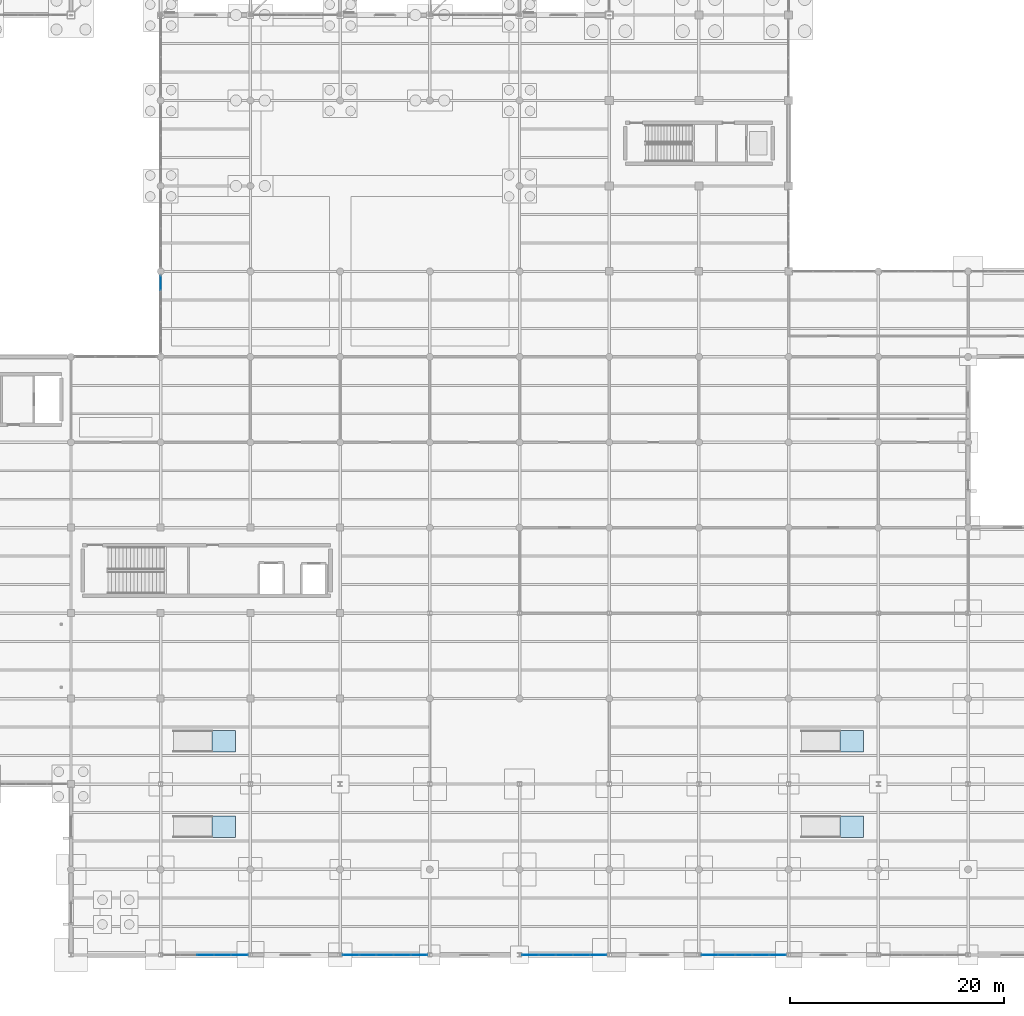
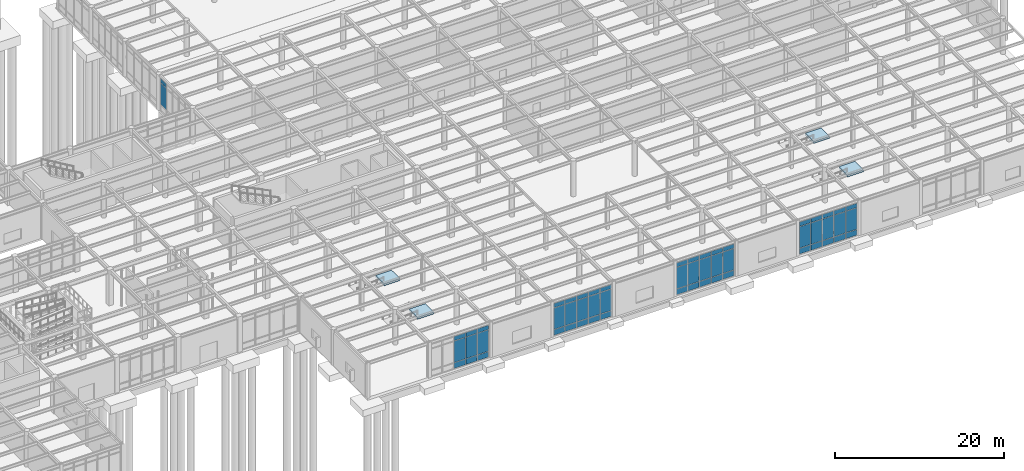
# One storey, part 66 of 138: 56 plates, 4 slabs, 9 elements without a shape of their own.
"""IFC4 building model written with IfcOpenShell, lengths in metres."""

from ifc_helpers import new_model, si_unit, direction, frame, origin, origin_2d, place, context, subcontext, project, spatial, polyline, rectangle, outline, extrude, material, layer, layer_set, type_object, element, aggregate, save


model = new_model("IFC4")

# Units and contexts
model_context = context("Model", 3, precision=1e-05, world=origin(), true_north=direction((0.0, 1.0)))
body_context = subcontext(model_context, "Body", "Model", "MODEL_VIEW")
ifc_project = project(units=[si_unit("LENGTHUNIT", "METRE"), si_unit("AREAUNIT", "SQUARE_METRE"), si_unit("VOLUMEUNIT", "CUBIC_METRE"), si_unit("PLANEANGLEUNIT", "RADIAN"), si_unit("MASSUNIT", "GRAM", prefix="KILO")], contexts=[model_context])

# Site, building, storey
site_placement = place(None, origin())
site = spatial("IfcSite", under=ifc_project, at=site_placement, CompositionType="ELEMENT")
building_placement = place(site_placement, origin())
building = spatial("IfcBuilding", under=site, at=building_placement, Name="Kranzveld Transit Interchange", CompositionType="ELEMENT")
storey_placement = place(building_placement, origin())
storey = spatial("IfcBuildingStorey", under=building, at=storey_placement, Name="L00", CompositionType="ELEMENT", Elevation=0.0)

# Curtain wall, plates
ifc_material_1 = material(Name="Bronze-anodised thermally broken aluminium", Category="aluminium")
ifc_layer_1 = layer(ifc_material_1, 0.1650390625)
ifc_layer_set_1 = layer_set([ifc_layer_1], Name="Bronze-anodised thermally broken aluminium")
curtain_wall_type_1 = type_object("IfcCurtainWallType", Name="Sunny Court Arcade Curtain Wall CW-2", PredefinedType="USERDEFINED", material=ifc_layer_set_1)
curtain_wall_1_placement = place(storey_placement, origin())
curtain_wall_1 = element("IfcCurtainWall", 1, at=curtain_wall_1_placement, inside=storey, type_object=curtain_wall_type_1, Name="L00 Curtain Wall 08/H-08/J", ObjectType="CURTAIN WALL", PredefinedType="USERDEFINED")
ifc_material_2 = material(Name="Solar-control double glazing", Category="glass")
ifc_layer_2 = layer(ifc_material_2, 0.02392578125)
ifc_layer_set_2 = layer_set([ifc_layer_2], Name="Solar-control double glazing")
plate_type_1 = type_object("IfcPlateType", Name="Curtain Panel Clear Glazing 24", PredefinedType="CURTAIN_PANEL", material=ifc_layer_set_2)
plate_1_placement = place(storey_placement, frame((58.800048828125, 62.923828125, 0.929931640625), z_axis=(0.0, 0.0, 1.0), x_axis=(0.0, 1.0, 0.0)))
plate_1 = element("IfcPlate", 2, at=plate_1_placement, type_object=plate_type_1, Name="CW-2 panel 5.2", PredefinedType="CURTAIN_PANEL", context=body_context, shape_type="SweptSolid", body=[
    extrude(rectangle(XDim=1.37255859375, YDim=0.02392578125, at=origin_2d()), origin(), (0.0, 0.0, 1.0), 3.08740234375),
])
plate_2_placement = place(storey_placement, frame((58.800048828125, 62.923828125, 4.0771484375), z_axis=(0.0, 0.0, 1.0), x_axis=(0.0, 1.0, 0.0)))
plate_2 = element("IfcPlate", 3, at=plate_2_placement, type_object=plate_type_1, Name="CW-2 panel 5.3", PredefinedType="CURTAIN_PANEL", context=body_context, shape_type="SweptSolid", body=[
    extrude(rectangle(XDim=1.37255859375, YDim=0.02392578125, at=origin_2d()), origin(), (0.0, 0.0, 1.0), 0.610107421875),
])
aggregate(curtain_wall_1, [plate_1, plate_2])

ifc_material_3 = material(Name="Bronze-anodised thermally broken aluminium", Category="aluminium")
ifc_layer_3 = layer(ifc_material_3, 0.14990234375)
ifc_layer_set_3 = layer_set([ifc_layer_3], Name="Bronze-anodised thermally broken aluminium")
curtain_wall_type_2 = type_object("IfcCurtainWallType", Name="Public Passage Clerestory Screen CW-4", PredefinedType="USERDEFINED", material=ifc_layer_set_3)
curtain_wall_2_placement = place(storey_placement, origin())
curtain_wall_2 = element("IfcCurtainWall", 4, at=curtain_wall_2_placement, inside=storey, type_object=curtain_wall_type_2, Name="L00 Curtain Wall 08/A-09/A", ObjectType="CURTAIN WALL", PredefinedType="USERDEFINED")
ifc_material_4 = material(Name="Solar-control double glazing", Category="glass")
ifc_layer_4 = layer(ifc_material_4, 0.0419921875)
ifc_layer_set_4 = layer_set([ifc_layer_4], Name="Solar-control double glazing")
plate_type_2 = type_object("IfcPlateType", Name="Curtain Panel Laminated Glazing 42", PredefinedType="CURTAIN_PANEL", material=ifc_layer_set_4)
plate_3_placement = place(storey_placement, frame((63.0, 0.0, 0.06005859375), z_axis=(0.0, 0.0, 1.0), x_axis=(1.0, 0.0, 0.0)))
plate_3 = element("IfcPlate", 5, at=plate_3_placement, type_object=plate_type_2, Name="CW-4 panel 3.1", PredefinedType="CURTAIN_PANEL", context=body_context, shape_type="SweptSolid", body=[
    extrude(rectangle(XDim=1.540283203125, YDim=0.0419921875, at=origin_2d()), origin(), (0.0, 0.0, 1.0), 0.81005859375),
])
plate_4_placement = place(storey_placement, frame((63.0, 0.0, 0.929931640625), z_axis=(0.0, 0.0, 1.0), x_axis=(1.0, 0.0, 0.0)))
plate_4 = element("IfcPlate", 6, at=plate_4_placement, type_object=plate_type_2, Name="CW-4 panel 3.2", PredefinedType="CURTAIN_PANEL", context=body_context, shape_type="SweptSolid", body=[
    extrude(rectangle(XDim=1.540283203125, YDim=0.0419921875, at=origin_2d()), origin(), (0.0, 0.0, 1.0), 3.08056640625),
])
plate_5_placement = place(storey_placement, frame((63.0, 0.0, 4.0703125), z_axis=(0.0, 0.0, 1.0), x_axis=(1.0, 0.0, 0.0)))
plate_5 = element("IfcPlate", 7, at=plate_5_placement, type_object=plate_type_2, Name="CW-4 panel 3.3", PredefinedType="CURTAIN_PANEL", context=body_context, shape_type="SweptSolid", body=[
    extrude(rectangle(XDim=1.540283203125, YDim=0.0419921875, at=origin_2d()), origin(), (0.0, 0.0, 1.0), 0.610107421875),
])
plate_6_placement = place(storey_placement, frame((64.60009765625, 0.0, 0.06005859375), z_axis=(0.0, 0.0, 1.0), x_axis=(1.0, 0.0, 0.0)))
plate_6 = element("IfcPlate", 8, at=plate_6_placement, type_object=plate_type_2, Name="CW-4 panel 4.1", PredefinedType="CURTAIN_PANEL", context=body_context, shape_type="SweptSolid", body=[
    extrude(rectangle(XDim=1.540283203125, YDim=0.0419921875, at=origin_2d()), origin(), (0.0, 0.0, 1.0), 0.81005859375),
])
plate_7_placement = place(storey_placement, frame((64.60009765625, 0.0, 0.929931640625), z_axis=(0.0, 0.0, 1.0), x_axis=(1.0, 0.0, 0.0)))
plate_7 = element("IfcPlate", 9, at=plate_7_placement, type_object=plate_type_2, Name="CW-4 panel 4.2", PredefinedType="CURTAIN_PANEL", context=body_context, shape_type="SweptSolid", body=[
    extrude(rectangle(XDim=1.540283203125, YDim=0.0419921875, at=origin_2d()), origin(), (0.0, 0.0, 1.0), 3.08056640625),
])
plate_8_placement = place(storey_placement, frame((64.60009765625, 0.0, 4.0703125), z_axis=(0.0, 0.0, 1.0), x_axis=(1.0, 0.0, 0.0)))
plate_8 = element("IfcPlate", 10, at=plate_8_placement, type_object=plate_type_2, Name="CW-4 panel 4.3", PredefinedType="CURTAIN_PANEL", context=body_context, shape_type="SweptSolid", body=[
    extrude(rectangle(XDim=1.540283203125, YDim=0.0419921875, at=origin_2d()), origin(), (0.0, 0.0, 1.0), 0.610107421875),
])
plate_9_placement = place(storey_placement, frame((66.185302734375, 0.0, 0.06005859375), z_axis=(0.0, 0.0, 1.0), x_axis=(1.0, 0.0, 0.0)))
plate_9 = element("IfcPlate", 11, at=plate_9_placement, type_object=plate_type_2, Name="CW-4 panel 5.1", PredefinedType="CURTAIN_PANEL", context=body_context, shape_type="SweptSolid", body=[
    extrude(rectangle(XDim=1.51025390625, YDim=0.0419921875, at=origin_2d()), origin(), (0.0, 0.0, 1.0), 0.81005859375),
])
plate_10_placement = place(storey_placement, frame((66.185302734375, 0.0, 0.929931640625), z_axis=(0.0, 0.0, 1.0), x_axis=(1.0, 0.0, 0.0)))
plate_10 = element("IfcPlate", 12, at=plate_10_placement, type_object=plate_type_2, Name="CW-4 panel 5.2", PredefinedType="CURTAIN_PANEL", context=body_context, shape_type="SweptSolid", body=[
    extrude(rectangle(XDim=1.51025390625, YDim=0.0419921875, at=origin_2d()), origin(), (0.0, 0.0, 1.0), 3.08056640625),
])
plate_11_placement = place(storey_placement, frame((66.185302734375, 0.0, 4.0703125), z_axis=(0.0, 0.0, 1.0), x_axis=(1.0, 0.0, 0.0)))
plate_11 = element("IfcPlate", 13, at=plate_11_placement, type_object=plate_type_2, Name="CW-4 panel 5.3", PredefinedType="CURTAIN_PANEL", context=body_context, shape_type="SweptSolid", body=[
    extrude(rectangle(XDim=1.51025390625, YDim=0.0419921875, at=origin_2d()), origin(), (0.0, 0.0, 1.0), 0.610107421875),
])
aggregate(curtain_wall_2, [plate_3, plate_4, plate_5, plate_6, plate_7, plate_8, plate_9, plate_10, plate_11])

ifc_material_5 = material(Name="Bronze-anodised thermally broken aluminium", Category="aluminium")
ifc_layer_5 = layer(ifc_material_5, 0.18505859375)
ifc_layer_set_5 = layer_set([ifc_layer_5], Name="Bronze-anodised thermally broken aluminium")
curtain_wall_type_3 = type_object("IfcCurtainWallType", Name="Control Crown Observation Facade CW-5", PredefinedType="USERDEFINED", material=ifc_layer_set_5)
curtain_wall_3_placement = place(storey_placement, origin())
curtain_wall_3 = element("IfcCurtainWall", 14, at=curtain_wall_3_placement, inside=storey, type_object=curtain_wall_type_3, Name="L00 Curtain Wall 10/A-11/A", ObjectType="CURTAIN WALL", PredefinedType="USERDEFINED")
ifc_material_6 = material(Name="Solar-control double glazing", Category="glass")
ifc_layer_6 = layer(ifc_material_6, 0.035888671875)
ifc_layer_set_6 = layer_set([ifc_layer_6], Name="Solar-control double glazing")
plate_type_3 = type_object("IfcPlateType", Name="Curtain Panel Triple Glazing 36", PredefinedType="CURTAIN_PANEL", material=ifc_layer_set_6)
plate_12_placement = place(storey_placement, frame((76.615966796875, 0.0, 0.06494140625), z_axis=(0.0, 0.0, 1.0), x_axis=(1.0, 0.0, 0.0)))
plate_12 = element("IfcPlate", 15, at=plate_12_placement, type_object=plate_type_3, Name="CW-5 panel 1.1", PredefinedType="CURTAIN_PANEL", context=body_context, shape_type="SweptSolid", body=[
    extrude(rectangle(XDim=1.502685546875, YDim=0.035888671875, at=origin_2d()), origin(), (0.0, 0.0, 1.0), 0.802490234375),
])
plate_13_placement = place(storey_placement, frame((76.615966796875, 0.0, 0.932373046875), z_axis=(0.0, 0.0, 1.0), x_axis=(1.0, 0.0, 0.0)))
plate_13 = element("IfcPlate", 16, at=plate_13_placement, type_object=plate_type_3, Name="CW-5 panel 1.2", PredefinedType="CURTAIN_PANEL", context=body_context, shape_type="SweptSolid", body=[
    extrude(rectangle(XDim=1.502685546875, YDim=0.035888671875, at=origin_2d()), origin(), (0.0, 0.0, 1.0), 3.07568359375),
])
plate_14_placement = place(storey_placement, frame((76.615966796875, 0.0, 4.072998046875), z_axis=(0.0, 0.0, 1.0), x_axis=(1.0, 0.0, 0.0)))
plate_14 = element("IfcPlate", 17, at=plate_14_placement, type_object=plate_type_3, Name="CW-5 panel 1.3", PredefinedType="CURTAIN_PANEL", context=body_context, shape_type="SweptSolid", body=[
    extrude(rectangle(XDim=1.502685546875, YDim=0.035888671875, at=origin_2d()), origin(), (0.0, 0.0, 1.0), 0.6025390625),
])
plate_15_placement = place(storey_placement, frame((78.19970703125, 0.0, 0.06494140625), z_axis=(0.0, 0.0, 1.0), x_axis=(1.0, 0.0, 0.0)))
plate_15 = element("IfcPlate", 18, at=plate_15_placement, type_object=plate_type_3, Name="CW-5 panel 2.1", PredefinedType="CURTAIN_PANEL", context=body_context, shape_type="SweptSolid", body=[
    extrude(rectangle(XDim=1.53515625, YDim=0.035888671875, at=origin_2d()), origin(), (0.0, 0.0, 1.0), 0.802490234375),
])
plate_16_placement = place(storey_placement, frame((78.19970703125, 0.0, 0.932373046875), z_axis=(0.0, 0.0, 1.0), x_axis=(1.0, 0.0, 0.0)))
plate_16 = element("IfcPlate", 19, at=plate_16_placement, type_object=plate_type_3, Name="CW-5 panel 2.2", PredefinedType="CURTAIN_PANEL", context=body_context, shape_type="SweptSolid", body=[
    extrude(rectangle(XDim=1.53515625, YDim=0.035888671875, at=origin_2d()), origin(), (0.0, 0.0, 1.0), 3.07568359375),
])
plate_17_placement = place(storey_placement, frame((78.19970703125, 0.0, 4.072998046875), z_axis=(0.0, 0.0, 1.0), x_axis=(1.0, 0.0, 0.0)))
plate_17 = element("IfcPlate", 20, at=plate_17_placement, type_object=plate_type_3, Name="CW-5 panel 2.3", PredefinedType="CURTAIN_PANEL", context=body_context, shape_type="SweptSolid", body=[
    extrude(rectangle(XDim=1.53515625, YDim=0.035888671875, at=origin_2d()), origin(), (0.0, 0.0, 1.0), 0.6025390625),
])
plate_18_placement = place(storey_placement, frame((79.800048828125, 0.0, 0.06494140625), z_axis=(0.0, 0.0, 1.0), x_axis=(1.0, 0.0, 0.0)))
plate_18 = element("IfcPlate", 21, at=plate_18_placement, type_object=plate_type_3, Name="CW-5 panel 3.1", PredefinedType="CURTAIN_PANEL", context=body_context, shape_type="SweptSolid", body=[
    extrude(rectangle(XDim=1.53515625, YDim=0.035888671875, at=origin_2d()), origin(), (0.0, 0.0, 1.0), 0.802490234375),
])
plate_19_placement = place(storey_placement, frame((79.800048828125, 0.0, 0.932373046875), z_axis=(0.0, 0.0, 1.0), x_axis=(1.0, 0.0, 0.0)))
plate_19 = element("IfcPlate", 22, at=plate_19_placement, type_object=plate_type_3, Name="CW-5 panel 3.2", PredefinedType="CURTAIN_PANEL", context=body_context, shape_type="SweptSolid", body=[
    extrude(rectangle(XDim=1.53515625, YDim=0.035888671875, at=origin_2d()), origin(), (0.0, 0.0, 1.0), 3.07568359375),
])
plate_20_placement = place(storey_placement, frame((79.800048828125, 0.0, 4.072998046875), z_axis=(0.0, 0.0, 1.0), x_axis=(1.0, 0.0, 0.0)))
plate_20 = element("IfcPlate", 23, at=plate_20_placement, type_object=plate_type_3, Name="CW-5 panel 3.3", PredefinedType="CURTAIN_PANEL", context=body_context, shape_type="SweptSolid", body=[
    extrude(rectangle(XDim=1.53515625, YDim=0.035888671875, at=origin_2d()), origin(), (0.0, 0.0, 1.0), 0.6025390625),
])
plate_21_placement = place(storey_placement, frame((81.400146484375, 0.0, 0.06494140625), z_axis=(0.0, 0.0, 1.0), x_axis=(1.0, 0.0, 0.0)))
plate_21 = element("IfcPlate", 24, at=plate_21_placement, type_object=plate_type_3, Name="CW-5 panel 4.1", PredefinedType="CURTAIN_PANEL", context=body_context, shape_type="SweptSolid", body=[
    extrude(rectangle(XDim=1.53515625, YDim=0.035888671875, at=origin_2d()), origin(), (0.0, 0.0, 1.0), 0.802490234375),
])
plate_22_placement = place(storey_placement, frame((81.400146484375, 0.0, 0.932373046875), z_axis=(0.0, 0.0, 1.0), x_axis=(1.0, 0.0, 0.0)))
plate_22 = element("IfcPlate", 25, at=plate_22_placement, type_object=plate_type_3, Name="CW-5 panel 4.2", PredefinedType="CURTAIN_PANEL", context=body_context, shape_type="SweptSolid", body=[
    extrude(rectangle(XDim=1.53515625, YDim=0.035888671875, at=origin_2d()), origin(), (0.0, 0.0, 1.0), 3.07568359375),
])
plate_23_placement = place(storey_placement, frame((81.400146484375, 0.0, 4.072998046875), z_axis=(0.0, 0.0, 1.0), x_axis=(1.0, 0.0, 0.0)))
plate_23 = element("IfcPlate", 26, at=plate_23_placement, type_object=plate_type_3, Name="CW-5 panel 4.3", PredefinedType="CURTAIN_PANEL", context=body_context, shape_type="SweptSolid", body=[
    extrude(rectangle(XDim=1.53515625, YDim=0.035888671875, at=origin_2d()), origin(), (0.0, 0.0, 1.0), 0.6025390625),
])
plate_24_placement = place(storey_placement, frame((82.984130859375, 0.0, 0.06494140625), z_axis=(0.0, 0.0, 1.0), x_axis=(1.0, 0.0, 0.0)))
plate_24 = element("IfcPlate", 27, at=plate_24_placement, type_object=plate_type_3, Name="CW-5 panel 5.1", PredefinedType="CURTAIN_PANEL", context=body_context, shape_type="SweptSolid", body=[
    extrude(rectangle(XDim=1.502685546875, YDim=0.035888671875, at=origin_2d()), origin(), (0.0, 0.0, 1.0), 0.802490234375),
])
plate_25_placement = place(storey_placement, frame((82.984130859375, 0.0, 0.932373046875), z_axis=(0.0, 0.0, 1.0), x_axis=(1.0, 0.0, 0.0)))
plate_25 = element("IfcPlate", 28, at=plate_25_placement, type_object=plate_type_3, Name="CW-5 panel 5.2", PredefinedType="CURTAIN_PANEL", context=body_context, shape_type="SweptSolid", body=[
    extrude(rectangle(XDim=1.502685546875, YDim=0.035888671875, at=origin_2d()), origin(), (0.0, 0.0, 1.0), 3.07568359375),
])
plate_26_placement = place(storey_placement, frame((82.984130859375, 0.0, 4.072998046875), z_axis=(0.0, 0.0, 1.0), x_axis=(1.0, 0.0, 0.0)))
plate_26 = element("IfcPlate", 29, at=plate_26_placement, type_object=plate_type_3, Name="CW-5 panel 5.3", PredefinedType="CURTAIN_PANEL", context=body_context, shape_type="SweptSolid", body=[
    extrude(rectangle(XDim=1.502685546875, YDim=0.035888671875, at=origin_2d()), origin(), (0.0, 0.0, 1.0), 0.6025390625),
])
aggregate(curtain_wall_3, [plate_12, plate_13, plate_14, plate_15, plate_16, plate_17, plate_18, plate_19, plate_20, plate_21, plate_22, plate_23, plate_24, plate_25, plate_26])

curtain_wall_4_placement = place(storey_placement, origin())
curtain_wall_4 = element("IfcCurtainWall", 30, at=curtain_wall_4_placement, inside=storey, type_object=curtain_wall_type_1, Name="L00 Curtain Wall 14/A-15/A", ObjectType="CURTAIN WALL", PredefinedType="USERDEFINED")
ifc_material_7 = material(Name="Pretoria red-purple clinker clay face brick, 35 MPa", Category="masonry")
ifc_layer_7 = layer(ifc_material_7, 0.050048828125)
ifc_layer_set_7 = layer_set([ifc_layer_7], Name="Pretoria red-purple clinker clay face brick, 35 MPa")
plate_type_4 = type_object("IfcPlateType", Name="Curtain Spandrel Clinker Tile 50", PredefinedType="CURTAIN_PANEL", material=ifc_layer_set_7)
plate_27_placement = place(storey_placement, frame((110.2158203125, 0.0, 0.06005859375), z_axis=(0.0, 0.0, 1.0), x_axis=(1.0, 0.0, 0.0)))
plate_27 = element("IfcPlate", 31, at=plate_27_placement, type_object=plate_type_4, Name="CW-2 panel 1.1", PredefinedType="CURTAIN_PANEL", context=body_context, shape_type="SweptSolid", body=[
    extrude(rectangle(XDim=1.502685546875, YDim=0.050048828125, at=origin_2d()), origin(), (0.0, 0.0, 1.0), 0.81005859375),
])
plate_28_placement = place(storey_placement, frame((110.2158203125, 0.0, 0.929931640625), z_axis=(0.0, 0.0, 1.0), x_axis=(1.0, 0.0, 0.0)))
plate_28 = element("IfcPlate", 32, at=plate_28_placement, type_object=plate_type_4, Name="CW-2 panel 1.2", PredefinedType="CURTAIN_PANEL", context=body_context, shape_type="SweptSolid", body=[
    extrude(rectangle(XDim=1.502685546875, YDim=0.050048828125, at=origin_2d()), origin(), (0.0, 0.0, 1.0), 3.08056640625),
])
plate_29_placement = place(storey_placement, frame((110.2158203125, 0.0, 4.0703125), z_axis=(0.0, 0.0, 1.0), x_axis=(1.0, 0.0, 0.0)))
plate_29 = element("IfcPlate", 33, at=plate_29_placement, type_object=plate_type_4, Name="CW-2 panel 1.3", PredefinedType="CURTAIN_PANEL", context=body_context, shape_type="SweptSolid", body=[
    extrude(rectangle(XDim=1.502685546875, YDim=0.050048828125, at=origin_2d()), origin(), (0.0, 0.0, 1.0), 0.610107421875),
])
plate_30_placement = place(storey_placement, frame((111.7998046875, 0.0, 0.06005859375), z_axis=(0.0, 0.0, 1.0), x_axis=(1.0, 0.0, 0.0)))
plate_30 = element("IfcPlate", 34, at=plate_30_placement, type_object=plate_type_4, Name="CW-2 panel 2.1", PredefinedType="CURTAIN_PANEL", context=body_context, shape_type="SweptSolid", body=[
    extrude(rectangle(XDim=1.53515625, YDim=0.050048828125, at=origin_2d()), origin(), (0.0, 0.0, 1.0), 0.81005859375),
])
plate_31_placement = place(storey_placement, frame((111.7998046875, 0.0, 0.929931640625), z_axis=(0.0, 0.0, 1.0), x_axis=(1.0, 0.0, 0.0)))
plate_31 = element("IfcPlate", 35, at=plate_31_placement, type_object=plate_type_4, Name="CW-2 panel 2.2", PredefinedType="CURTAIN_PANEL", context=body_context, shape_type="SweptSolid", body=[
    extrude(rectangle(XDim=1.53515625, YDim=0.050048828125, at=origin_2d()), origin(), (0.0, 0.0, 1.0), 3.08056640625),
])
plate_32_placement = place(storey_placement, frame((111.7998046875, 0.0, 4.0703125), z_axis=(0.0, 0.0, 1.0), x_axis=(1.0, 0.0, 0.0)))
plate_32 = element("IfcPlate", 36, at=plate_32_placement, type_object=plate_type_4, Name="CW-2 panel 2.3", PredefinedType="CURTAIN_PANEL", context=body_context, shape_type="SweptSolid", body=[
    extrude(rectangle(XDim=1.53515625, YDim=0.050048828125, at=origin_2d()), origin(), (0.0, 0.0, 1.0), 0.610107421875),
])
plate_33_placement = place(storey_placement, frame((113.39990234375, 0.0, 0.06005859375), z_axis=(0.0, 0.0, 1.0), x_axis=(1.0, 0.0, 0.0)))
plate_33 = element("IfcPlate", 37, at=plate_33_placement, type_object=plate_type_4, Name="CW-2 panel 3.1", PredefinedType="CURTAIN_PANEL", context=body_context, shape_type="SweptSolid", body=[
    extrude(rectangle(XDim=1.53515625, YDim=0.050048828125, at=origin_2d()), origin(), (0.0, 0.0, 1.0), 0.81005859375),
])
plate_34_placement = place(storey_placement, frame((113.39990234375, 0.0, 0.929931640625), z_axis=(0.0, 0.0, 1.0), x_axis=(1.0, 0.0, 0.0)))
plate_34 = element("IfcPlate", 38, at=plate_34_placement, type_object=plate_type_4, Name="CW-2 panel 3.2", PredefinedType="CURTAIN_PANEL", context=body_context, shape_type="SweptSolid", body=[
    extrude(rectangle(XDim=1.53515625, YDim=0.050048828125, at=origin_2d()), origin(), (0.0, 0.0, 1.0), 3.08056640625),
])
plate_35_placement = place(storey_placement, frame((113.39990234375, 0.0, 4.0703125), z_axis=(0.0, 0.0, 1.0), x_axis=(1.0, 0.0, 0.0)))
plate_35 = element("IfcPlate", 39, at=plate_35_placement, type_object=plate_type_4, Name="CW-2 panel 3.3", PredefinedType="CURTAIN_PANEL", context=body_context, shape_type="SweptSolid", body=[
    extrude(rectangle(XDim=1.53515625, YDim=0.050048828125, at=origin_2d()), origin(), (0.0, 0.0, 1.0), 0.610107421875),
])
plate_36_placement = place(storey_placement, frame((115.000244140625, 0.0, 0.06005859375), z_axis=(0.0, 0.0, 1.0), x_axis=(1.0, 0.0, 0.0)))
plate_36 = element("IfcPlate", 40, at=plate_36_placement, type_object=plate_type_4, Name="CW-2 panel 4.1", PredefinedType="CURTAIN_PANEL", context=body_context, shape_type="SweptSolid", body=[
    extrude(rectangle(XDim=1.53515625, YDim=0.050048828125, at=origin_2d()), origin(), (0.0, 0.0, 1.0), 0.81005859375),
])
plate_37_placement = place(storey_placement, frame((115.000244140625, 0.0, 0.929931640625), z_axis=(0.0, 0.0, 1.0), x_axis=(1.0, 0.0, 0.0)))
plate_37 = element("IfcPlate", 41, at=plate_37_placement, type_object=plate_type_4, Name="CW-2 panel 4.2", PredefinedType="CURTAIN_PANEL", context=body_context, shape_type="SweptSolid", body=[
    extrude(rectangle(XDim=1.53515625, YDim=0.050048828125, at=origin_2d()), origin(), (0.0, 0.0, 1.0), 3.08056640625),
])
plate_38_placement = place(storey_placement, frame((115.000244140625, 0.0, 4.0703125), z_axis=(0.0, 0.0, 1.0), x_axis=(1.0, 0.0, 0.0)))
plate_38 = element("IfcPlate", 42, at=plate_38_placement, type_object=plate_type_4, Name="CW-2 panel 4.3", PredefinedType="CURTAIN_PANEL", context=body_context, shape_type="SweptSolid", body=[
    extrude(rectangle(XDim=1.53515625, YDim=0.050048828125, at=origin_2d()), origin(), (0.0, 0.0, 1.0), 0.610107421875),
])
plate_39_placement = place(storey_placement, frame((116.584228515625, 0.0, 0.06005859375), z_axis=(0.0, 0.0, 1.0), x_axis=(1.0, 0.0, 0.0)))
plate_39 = element("IfcPlate", 43, at=plate_39_placement, type_object=plate_type_4, Name="CW-2 panel 5.1", PredefinedType="CURTAIN_PANEL", context=body_context, shape_type="SweptSolid", body=[
    extrude(rectangle(XDim=1.502685546875, YDim=0.050048828125, at=origin_2d()), origin(), (0.0, 0.0, 1.0), 0.81005859375),
])
plate_40_placement = place(storey_placement, frame((116.584228515625, 0.0, 0.929931640625), z_axis=(0.0, 0.0, 1.0), x_axis=(1.0, 0.0, 0.0)))
plate_40 = element("IfcPlate", 44, at=plate_40_placement, type_object=plate_type_4, Name="CW-2 panel 5.2", PredefinedType="CURTAIN_PANEL", context=body_context, shape_type="SweptSolid", body=[
    extrude(rectangle(XDim=1.502685546875, YDim=0.050048828125, at=origin_2d()), origin(), (0.0, 0.0, 1.0), 3.08056640625),
])
plate_41_placement = place(storey_placement, frame((116.584228515625, 0.0, 4.0703125), z_axis=(0.0, 0.0, 1.0), x_axis=(1.0, 0.0, 0.0)))
plate_41 = element("IfcPlate", 45, at=plate_41_placement, type_object=plate_type_4, Name="CW-2 panel 5.3", PredefinedType="CURTAIN_PANEL", context=body_context, shape_type="SweptSolid", body=[
    extrude(rectangle(XDim=1.502685546875, YDim=0.050048828125, at=origin_2d()), origin(), (0.0, 0.0, 1.0), 0.610107421875),
])
aggregate(curtain_wall_4, [plate_27, plate_28, plate_29, plate_30, plate_31, plate_32, plate_33, plate_34, plate_35, plate_36, plate_37, plate_38, plate_39, plate_40, plate_41])

ifc_material_8 = material(Name="Bronze-anodised thermally broken aluminium", Category="aluminium")
ifc_layer_8 = layer(ifc_material_8, 0.155029296875)
ifc_layer_set_8 = layer_set([ifc_layer_8], Name="Bronze-anodised thermally broken aluminium")
curtain_wall_type_4 = type_object("IfcCurtainWallType", Name="Operations Courtyard Glazed Screen CW-6", PredefinedType="USERDEFINED", material=ifc_layer_set_8)
curtain_wall_5_placement = place(storey_placement, origin())
curtain_wall_5 = element("IfcCurtainWall", 46, at=curtain_wall_5_placement, inside=storey, type_object=curtain_wall_type_4, Name="L00 Curtain Wall 12/A-13/A", ObjectType="CURTAIN WALL", PredefinedType="USERDEFINED")
ifc_material_9 = material(Name="Ochre Pretoria sandstone cladding, 45 MPa", Category="masonry")
ifc_layer_9 = layer(ifc_material_9, 0.0458984375)
ifc_layer_set_9 = layer_set([ifc_layer_9], Name="Ochre Pretoria sandstone cladding, 45 MPa")
plate_type_5 = type_object("IfcPlateType", Name="Curtain Spandrel Sandstone 46", PredefinedType="CURTAIN_PANEL", material=ifc_layer_set_9)
plate_42_placement = place(storey_placement, frame((93.415771484375, 0.0, 0.06005859375), z_axis=(0.0, 0.0, 1.0), x_axis=(1.0, 0.0, 0.0)))
plate_42 = element("IfcPlate", 47, at=plate_42_placement, type_object=plate_type_5, Name="CW-6 panel 1.1", PredefinedType="CURTAIN_PANEL", context=body_context, shape_type="SweptSolid", body=[
    extrude(rectangle(XDim=1.502685546875, YDim=0.0458984375, at=origin_2d()), origin(), (0.0, 0.0, 1.0), 0.81005859375),
])
plate_43_placement = place(storey_placement, frame((93.415771484375, 0.0, 0.929931640625), z_axis=(0.0, 0.0, 1.0), x_axis=(1.0, 0.0, 0.0)))
plate_43 = element("IfcPlate", 48, at=plate_43_placement, type_object=plate_type_5, Name="CW-6 panel 1.2", PredefinedType="CURTAIN_PANEL", context=body_context, shape_type="SweptSolid", body=[
    extrude(rectangle(XDim=1.502685546875, YDim=0.0458984375, at=origin_2d()), origin(), (0.0, 0.0, 1.0), 3.08056640625),
])
plate_44_placement = place(storey_placement, frame((93.415771484375, 0.0, 4.0703125), z_axis=(0.0, 0.0, 1.0), x_axis=(1.0, 0.0, 0.0)))
plate_44 = element("IfcPlate", 49, at=plate_44_placement, type_object=plate_type_5, Name="CW-6 panel 1.3", PredefinedType="CURTAIN_PANEL", context=body_context, shape_type="SweptSolid", body=[
    extrude(rectangle(XDim=1.502685546875, YDim=0.0458984375, at=origin_2d()), origin(), (0.0, 0.0, 1.0), 0.610107421875),
])
plate_45_placement = place(storey_placement, frame((94.999755859375, 0.0, 0.06005859375), z_axis=(0.0, 0.0, 1.0), x_axis=(1.0, 0.0, 0.0)))
plate_45 = element("IfcPlate", 50, at=plate_45_placement, type_object=plate_type_5, Name="CW-6 panel 2.1", PredefinedType="CURTAIN_PANEL", context=body_context, shape_type="SweptSolid", body=[
    extrude(rectangle(XDim=1.53515625, YDim=0.0458984375, at=origin_2d()), origin(), (0.0, 0.0, 1.0), 0.81005859375),
])
plate_46_placement = place(storey_placement, frame((94.999755859375, 0.0, 0.929931640625), z_axis=(0.0, 0.0, 1.0), x_axis=(1.0, 0.0, 0.0)))
plate_46 = element("IfcPlate", 51, at=plate_46_placement, type_object=plate_type_5, Name="CW-6 panel 2.2", PredefinedType="CURTAIN_PANEL", context=body_context, shape_type="SweptSolid", body=[
    extrude(rectangle(XDim=1.53515625, YDim=0.0458984375, at=origin_2d()), origin(), (0.0, 0.0, 1.0), 3.08056640625),
])
plate_47_placement = place(storey_placement, frame((94.999755859375, 0.0, 4.0703125), z_axis=(0.0, 0.0, 1.0), x_axis=(1.0, 0.0, 0.0)))
plate_47 = element("IfcPlate", 52, at=plate_47_placement, type_object=plate_type_5, Name="CW-6 panel 2.3", PredefinedType="CURTAIN_PANEL", context=body_context, shape_type="SweptSolid", body=[
    extrude(rectangle(XDim=1.53515625, YDim=0.0458984375, at=origin_2d()), origin(), (0.0, 0.0, 1.0), 0.610107421875),
])
plate_48_placement = place(storey_placement, frame((96.60009765625, 0.0, 0.06005859375), z_axis=(0.0, 0.0, 1.0), x_axis=(1.0, 0.0, 0.0)))
plate_48 = element("IfcPlate", 53, at=plate_48_placement, type_object=plate_type_5, Name="CW-6 panel 3.1", PredefinedType="CURTAIN_PANEL", context=body_context, shape_type="SweptSolid", body=[
    extrude(rectangle(XDim=1.53515625, YDim=0.0458984375, at=origin_2d()), origin(), (0.0, 0.0, 1.0), 0.81005859375),
])
plate_49_placement = place(storey_placement, frame((96.60009765625, 0.0, 0.929931640625), z_axis=(0.0, 0.0, 1.0), x_axis=(1.0, 0.0, 0.0)))
plate_49 = element("IfcPlate", 54, at=plate_49_placement, type_object=plate_type_5, Name="CW-6 panel 3.2", PredefinedType="CURTAIN_PANEL", context=body_context, shape_type="SweptSolid", body=[
    extrude(rectangle(XDim=1.53515625, YDim=0.0458984375, at=origin_2d()), origin(), (0.0, 0.0, 1.0), 3.08056640625),
])
plate_50_placement = place(storey_placement, frame((96.60009765625, 0.0, 4.0703125), z_axis=(0.0, 0.0, 1.0), x_axis=(1.0, 0.0, 0.0)))
plate_50 = element("IfcPlate", 55, at=plate_50_placement, type_object=plate_type_5, Name="CW-6 panel 3.3", PredefinedType="CURTAIN_PANEL", context=body_context, shape_type="SweptSolid", body=[
    extrude(rectangle(XDim=1.53515625, YDim=0.0458984375, at=origin_2d()), origin(), (0.0, 0.0, 1.0), 0.610107421875),
])
plate_51_placement = place(storey_placement, frame((98.2001953125, 0.0, 0.06005859375), z_axis=(0.0, 0.0, 1.0), x_axis=(1.0, 0.0, 0.0)))
plate_51 = element("IfcPlate", 56, at=plate_51_placement, type_object=plate_type_5, Name="CW-6 panel 4.1", PredefinedType="CURTAIN_PANEL", context=body_context, shape_type="SweptSolid", body=[
    extrude(rectangle(XDim=1.53515625, YDim=0.0458984375, at=origin_2d()), origin(), (0.0, 0.0, 1.0), 0.81005859375),
])
plate_52_placement = place(storey_placement, frame((98.2001953125, 0.0, 0.929931640625), z_axis=(0.0, 0.0, 1.0), x_axis=(1.0, 0.0, 0.0)))
plate_52 = element("IfcPlate", 57, at=plate_52_placement, type_object=plate_type_5, Name="CW-6 panel 4.2", PredefinedType="CURTAIN_PANEL", context=body_context, shape_type="SweptSolid", body=[
    extrude(rectangle(XDim=1.53515625, YDim=0.0458984375, at=origin_2d()), origin(), (0.0, 0.0, 1.0), 3.08056640625),
])
plate_53_placement = place(storey_placement, frame((98.2001953125, 0.0, 4.0703125), z_axis=(0.0, 0.0, 1.0), x_axis=(1.0, 0.0, 0.0)))
plate_53 = element("IfcPlate", 58, at=plate_53_placement, type_object=plate_type_5, Name="CW-6 panel 4.3", PredefinedType="CURTAIN_PANEL", context=body_context, shape_type="SweptSolid", body=[
    extrude(rectangle(XDim=1.53515625, YDim=0.0458984375, at=origin_2d()), origin(), (0.0, 0.0, 1.0), 0.610107421875),
])
plate_54_placement = place(storey_placement, frame((99.7841796875, 0.0, 0.06005859375), z_axis=(0.0, 0.0, 1.0), x_axis=(1.0, 0.0, 0.0)))
plate_54 = element("IfcPlate", 59, at=plate_54_placement, type_object=plate_type_5, Name="CW-6 panel 5.1", PredefinedType="CURTAIN_PANEL", context=body_context, shape_type="SweptSolid", body=[
    extrude(rectangle(XDim=1.502685546875, YDim=0.0458984375, at=origin_2d()), origin(), (0.0, 0.0, 1.0), 0.81005859375),
])
plate_55_placement = place(storey_placement, frame((99.7841796875, 0.0, 0.929931640625), z_axis=(0.0, 0.0, 1.0), x_axis=(1.0, 0.0, 0.0)))
plate_55 = element("IfcPlate", 60, at=plate_55_placement, type_object=plate_type_5, Name="CW-6 panel 5.2", PredefinedType="CURTAIN_PANEL", context=body_context, shape_type="SweptSolid", body=[
    extrude(rectangle(XDim=1.502685546875, YDim=0.0458984375, at=origin_2d()), origin(), (0.0, 0.0, 1.0), 3.08056640625),
])
plate_56_placement = place(storey_placement, frame((99.7841796875, 0.0, 4.0703125), z_axis=(0.0, 0.0, 1.0), x_axis=(1.0, 0.0, 0.0)))
plate_56 = element("IfcPlate", 61, at=plate_56_placement, type_object=plate_type_5, Name="CW-6 panel 5.3", PredefinedType="CURTAIN_PANEL", context=body_context, shape_type="SweptSolid", body=[
    extrude(rectangle(XDim=1.502685546875, YDim=0.0458984375, at=origin_2d()), origin(), (0.0, 0.0, 1.0), 0.610107421875),
])
aggregate(curtain_wall_5, [plate_42, plate_43, plate_44, plate_45, plate_46, plate_47, plate_48, plate_49, plate_50, plate_51, plate_52, plate_53, plate_54, plate_55, plate_56])

# Ramp, slab
ifc_material_10 = material(Name="Concrete C35/45", Category="concrete")
ramp_type = type_object("IfcRampType", Name="Boarding Island Plinth Ramp 1:12 2000W C35/45", PredefinedType="STRAIGHT_RUN_RAMP", material=ifc_material_10)
ramp_1_placement = place(storey_placement, origin())
ramp_1 = element("IfcRamp", 62, at=ramp_1_placement, inside=storey, type_object=ramp_type, Name="Boarding Island 1:12 Ramp RMP-3", PredefinedType="STRAIGHT_RUN_RAMP")
ifc_material_11 = material(Name="Concrete C35/45", Category="concrete")
ifc_layer_10 = layer(ifc_material_11, 0.219970703125)
ifc_layer_set_10 = layer_set([ifc_layer_10], Name="Concrete C35/45")
slab_type = type_object("IfcSlabType", Name="Cycle Ramp Landing 220 C35/45", PredefinedType="LANDING", material=ifc_layer_set_10)
slab_1_placement = place(storey_placement, origin())
slab_1 = element("IfcSlab", 63, at=slab_1_placement, type_object=slab_type, Name="RMP-3 Plinth Landing", PredefinedType="LANDING", context=body_context, shape_type="SweptSolid", body=[
    extrude(outline(polyline([(63.60009765625, 11.0), (65.800048828125, 11.0), (65.800048828125, 13.0), (63.60009765625, 13.0), (63.60009765625, 11.0)])), origin(), (0.0, 0.0, 1.0), 0.300048828125),
])
aggregate(ramp_1, [slab_1])

ramp_2_placement = place(storey_placement, origin())
ramp_2 = element("IfcRamp", 64, at=ramp_2_placement, inside=storey, type_object=ramp_type, Name="Boarding Island 1:12 Ramp RMP-4", PredefinedType="STRAIGHT_RUN_RAMP")
slab_2_placement = place(storey_placement, origin())
slab_2 = element("IfcSlab", 65, at=slab_2_placement, type_object=slab_type, Name="RMP-4 Plinth Landing", PredefinedType="LANDING", context=body_context, shape_type="SweptSolid", body=[
    extrude(outline(polyline([(63.60009765625, 19.0), (65.800048828125, 19.0), (65.800048828125, 21.0), (63.60009765625, 21.0), (63.60009765625, 19.0)])), origin(), (0.0, 0.0, 1.0), 0.300048828125),
])
aggregate(ramp_2, [slab_2])

ramp_3_placement = place(storey_placement, origin())
ramp_3 = element("IfcRamp", 66, at=ramp_3_placement, inside=storey, type_object=ramp_type, Name="Boarding Island 1:12 Ramp RMP-5", PredefinedType="STRAIGHT_RUN_RAMP")
slab_3_placement = place(storey_placement, origin())
slab_3 = element("IfcSlab", 67, at=slab_3_placement, type_object=slab_type, Name="RMP-5 Plinth Landing", PredefinedType="LANDING", context=body_context, shape_type="SweptSolid", body=[
    extrude(outline(polyline([(122.39990234375, 11.0), (124.60009765625, 11.0), (124.60009765625, 13.0), (122.39990234375, 13.0), (122.39990234375, 11.0)])), origin(), (0.0, 0.0, 1.0), 0.300048828125),
])
aggregate(ramp_3, [slab_3])

ramp_4_placement = place(storey_placement, origin())
ramp_4 = element("IfcRamp", 68, at=ramp_4_placement, inside=storey, type_object=ramp_type, Name="Boarding Island 1:12 Ramp RMP-6", PredefinedType="STRAIGHT_RUN_RAMP")
slab_4_placement = place(storey_placement, origin())
slab_4 = element("IfcSlab", 69, at=slab_4_placement, type_object=slab_type, Name="RMP-6 Plinth Landing", PredefinedType="LANDING", context=body_context, shape_type="SweptSolid", body=[
    extrude(outline(polyline([(122.39990234375, 19.0), (124.60009765625, 19.0), (124.60009765625, 21.0), (122.39990234375, 21.0), (122.39990234375, 19.0)])), origin(), (0.0, 0.0, 1.0), 0.300048828125),
])
aggregate(ramp_4, [slab_4])

save(model, "model.ifc")
